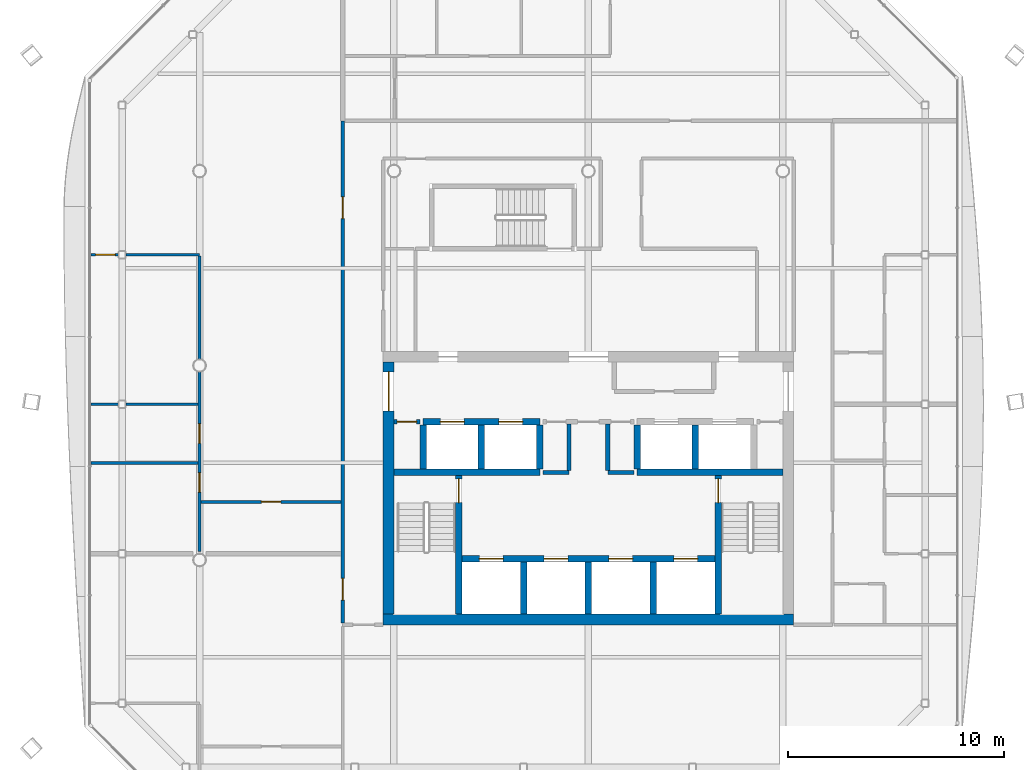
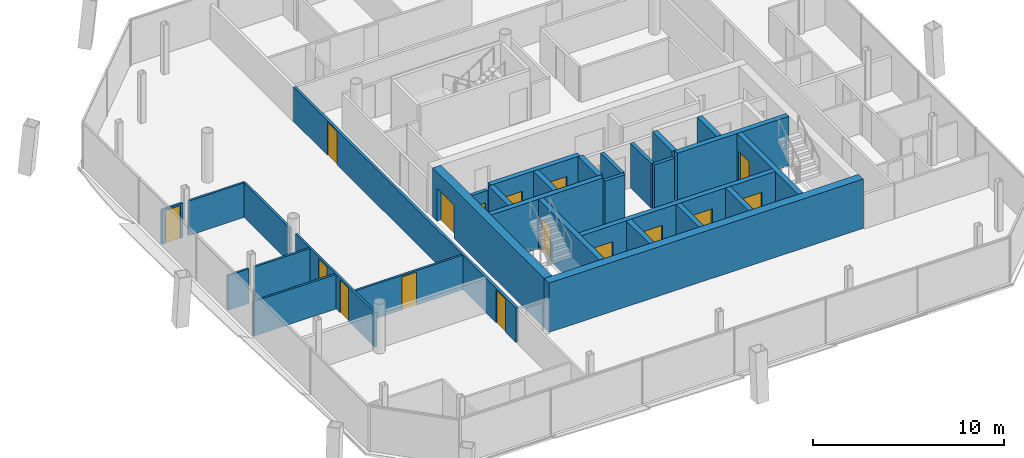
# One storey, part 14 of 20: 30 walls, 16 doors, 16 openings.
"""IFC4 building model written with IfcOpenShell, lengths in metres."""

from ifc_helpers import new_model, si_unit, direction, frame, frame_2d, origin, place, context, subcontext, project, spatial, rectangle, extrude, material, layer, layer_set, type_object, element, fill, save


model = new_model("IFC4")

# Units and contexts
model_context = context("Model", 3, precision=1e-05, world=origin(), true_north=direction((0.0, 1.0)))
body_context = subcontext(model_context, "Body", "Model", "MODEL_VIEW")
ifc_project = project(units=[si_unit("LENGTHUNIT", "METRE"), si_unit("AREAUNIT", "SQUARE_METRE"), si_unit("VOLUMEUNIT", "CUBIC_METRE"), si_unit("PLANEANGLEUNIT", "RADIAN"), si_unit("MASSUNIT", "GRAM", prefix="KILO")], contexts=[model_context])

# Site, building, storey
site_placement = place(None, origin())
site = spatial("IfcSite", under=ifc_project, at=site_placement, CompositionType="ELEMENT")
building_placement = place(site_placement, origin())
building = spatial("IfcBuilding", under=site, at=building_placement, Name="Tskaro Facet Tower", CompositionType="ELEMENT")
storey_placement = place(building_placement, frame((0.0, 0.0, 197.39990234375)))
storey = spatial("IfcBuildingStorey", under=building, at=storey_placement, Name="L50", CompositionType="ELEMENT", Elevation=197.39990234375)

# Wall, openings, doors
ifc_material_1 = material(Name="Concrete C60/75", Category="concrete")
ifc_layer_1 = layer(ifc_material_1, 0.300048828125, Name="Concrete C60/75")
ifc_layer_set_1 = layer_set([ifc_layer_1], Name="Concrete C60/75")
wall_type_1 = type_object("IfcWallType", Name="CORE-SHAFT", PredefinedType="SHEAR", material=ifc_layer_set_1)
wall_1_placement = place(storey_placement, frame((-5.85009765625, -8.949951171875, 0.0), z_axis=(0.0, 0.0, 1.0), x_axis=(1.0, 0.0, 0.0)))
wall_1 = element("IfcWall", 1, at=wall_1_placement, inside=storey, type_object=wall_type_1, Name="Shaft wall W008", PredefinedType="SHEAR", context=body_context, shape_type="SweptSolid", body=[
    extrude(rectangle(XDim=11.7001953125, YDim=0.300048828125, at=frame_2d((5.85009765625, 0.0))), origin(), (0.0, 0.0, 1.0), 3.150146484375),
])
opening_1_placement = place(wall_1_placement, frame((0.800048828125, 0.0, 0.0)))
opening_1 = element("IfcOpeningElement", 2, at=opening_1_placement, cuts=wall_1, Name="Opening LD-FF1", PredefinedType="OPENING", context=body_context, shape_type="SweptSolid", body=[
    extrude(rectangle(XDim=1.10009765625, YDim=2.10009765625, at=frame_2d((0.550048828125, 1.050048828125))), frame((0.0, 0.159912109375, 0.0), z_axis=(0.0, -1.0, 0.0), x_axis=(1.0, 0.0, 0.0)), (0.0, 0.0, 1.0), 0.320068359375),
])
opening_2_placement = place(wall_1_placement, frame((3.800048828125, 0.0, 0.0)))
opening_2 = element("IfcOpeningElement", 3, at=opening_2_placement, cuts=wall_1, Name="Opening LD-FF2", PredefinedType="OPENING", context=body_context, shape_type="SweptSolid", body=[
    extrude(rectangle(XDim=1.10009765625, YDim=2.10009765625, at=frame_2d((0.550048828125, 1.050048828125))), frame((0.0, 0.159912109375, 0.0), z_axis=(0.0, -1.0, 0.0), x_axis=(1.0, 0.0, 0.0)), (0.0, 0.0, 1.0), 0.320068359375),
])
opening_3_placement = place(wall_1_placement, frame((6.800048828125, 0.0, 0.0)))
opening_3 = element("IfcOpeningElement", 4, at=opening_3_placement, cuts=wall_1, Name="Opening LD-SV1", PredefinedType="OPENING", context=body_context, shape_type="SweptSolid", body=[
    extrude(rectangle(XDim=1.10009765625, YDim=2.10009765625, at=frame_2d((0.550048828125, 1.050048828125))), frame((0.0, 0.159912109375, 0.0), z_axis=(0.0, -1.0, 0.0), x_axis=(1.0, 0.0, 0.0)), (0.0, 0.0, 1.0), 0.320068359375),
])
opening_4_placement = place(wall_1_placement, frame((9.800048828125, 0.0, 0.0)))
opening_4 = element("IfcOpeningElement", 5, at=opening_4_placement, cuts=wall_1, Name="Opening LD-SV2", PredefinedType="OPENING", context=body_context, shape_type="SweptSolid", body=[
    extrude(rectangle(XDim=1.10009765625, YDim=2.10009765625, at=frame_2d((0.550048828125, 1.050048828125))), frame((0.0, 0.159912109375, 0.0), z_axis=(0.0, -1.0, 0.0), x_axis=(1.0, 0.0, 0.0)), (0.0, 0.0, 1.0), 0.320068359375),
])
ifc_material_2 = material(Name="Stainless steel", Category="steel")
door_type_1 = type_object("IfcDoorType", Name="D-LANDING", OperationType="NOTDEFINED", PredefinedType="DOOR", material=ifc_material_2)
door_1_placement = place(opening_1_placement, origin())
door_1 = element("IfcDoor", 6, at=door_1_placement, inside=storey, type_object=door_type_1, Name="Landing door FF1", OperationType="DOUBLE_DOOR_SLIDING", OverallHeight=2.10009765625, OverallWidth=1.10009765625, PredefinedType="DOOR", context=body_context, shape_type="SweptSolid", body=[
    extrude(rectangle(XDim=1.10009765625, YDim=2.10009765625, at=frame_2d((0.550048828125, 1.050048828125))), frame((0.0, 0.02490234375, 0.0), z_axis=(0.0, -1.0, 0.0), x_axis=(1.0, 0.0, 0.0)), (0.0, 0.0, 1.0), 0.050048828125),
])
fill(opening_1, door_1)
door_2_placement = place(opening_2_placement, origin())
door_2 = element("IfcDoor", 7, at=door_2_placement, inside=storey, type_object=door_type_1, Name="Landing door FF2", OperationType="DOUBLE_DOOR_SLIDING", OverallHeight=2.10009765625, OverallWidth=1.10009765625, PredefinedType="DOOR", context=body_context, shape_type="SweptSolid", body=[
    extrude(rectangle(XDim=1.10009765625, YDim=2.10009765625, at=frame_2d((0.550048828125, 1.050048828125))), frame((0.0, 0.02490234375, 0.0), z_axis=(0.0, -1.0, 0.0), x_axis=(1.0, 0.0, 0.0)), (0.0, 0.0, 1.0), 0.050048828125),
])
fill(opening_2, door_2)
door_3_placement = place(opening_3_placement, origin())
door_3 = element("IfcDoor", 8, at=door_3_placement, inside=storey, type_object=door_type_1, Name="Landing door SV1", OperationType="DOUBLE_DOOR_SLIDING", OverallHeight=2.10009765625, OverallWidth=1.10009765625, PredefinedType="DOOR", context=body_context, shape_type="SweptSolid", body=[
    extrude(rectangle(XDim=1.10009765625, YDim=2.10009765625, at=frame_2d((0.550048828125, 1.050048828125))), frame((0.0, 0.02490234375, 0.0), z_axis=(0.0, -1.0, 0.0), x_axis=(1.0, 0.0, 0.0)), (0.0, 0.0, 1.0), 0.050048828125),
])
fill(opening_3, door_3)
door_4_placement = place(opening_4_placement, origin())
door_4 = element("IfcDoor", 9, at=door_4_placement, inside=storey, type_object=door_type_1, Name="Landing door SV2", OperationType="DOUBLE_DOOR_SLIDING", OverallHeight=2.10009765625, OverallWidth=1.10009765625, PredefinedType="DOOR", context=body_context, shape_type="SweptSolid", body=[
    extrude(rectangle(XDim=1.10009765625, YDim=2.10009765625, at=frame_2d((0.550048828125, 1.050048828125))), frame((0.0, 0.02490234375, 0.0), z_axis=(0.0, -1.0, 0.0), x_axis=(1.0, 0.0, 0.0)), (0.0, 0.0, 1.0), 0.050048828125),
])
fill(opening_4, door_4)

# Walls
for number, where, z_axis, x_axis, name in (
    (10, (-9.0, -4.949951171875, 0.0), (0.0, 0.0, 1.0), (1.0, 0.0, 0.0), "Shaft wall W016"),
    (11, (2.25, -4.949951171875, 0.0), (0.0, 0.0, 1.0), (1.0, 0.0, 0.0), "Shaft wall W019"),
):
    element("IfcWall", number, at=place(storey_placement, frame(where, z_axis=z_axis, x_axis=x_axis)), inside=storey, type_object=wall_type_1, Name=name, PredefinedType="SHEAR", context=body_context, shape_type="SweptSolid", body=[
        extrude(rectangle(XDim=6.75, YDim=0.300048828125, at=frame_2d((3.375, 0.0))), origin(), (0.0, 0.0, 1.0), 3.150146484375),
    ])

# Wall, openings, doors
wall_2_placement = place(storey_placement, frame((-7.64990234375, -2.60009765625, 0.0), z_axis=(0.0, 0.0, 1.0), x_axis=(1.0, 0.0, 0.0)))
wall_2 = element("IfcWall", 12, at=wall_2_placement, inside=storey, type_object=wall_type_1, Name="Shaft wall W023", PredefinedType="SHEAR", context=body_context, shape_type="SweptSolid", body=[
    extrude(rectangle(XDim=5.39990234375, YDim=0.300048828125, at=frame_2d((2.699951171875, 0.0))), origin(), (0.0, 0.0, 1.0), 3.150146484375),
])
opening_5_placement = place(wall_2_placement, frame((0.800048828125, 0.0, 0.0)))
opening_5 = element("IfcOpeningElement", 13, at=opening_5_placement, cuts=wall_2, Name="Opening LD-HB1", PredefinedType="OPENING", context=body_context, shape_type="SweptSolid", body=[
    extrude(rectangle(XDim=1.10009765625, YDim=2.10009765625, at=frame_2d((0.550048828125, 1.050048828125))), frame((0.0, 0.159912109375, 0.0), z_axis=(0.0, -1.0, 0.0), x_axis=(1.0, 0.0, 0.0)), (0.0, 0.0, 1.0), 0.320068359375),
])
opening_6_placement = place(wall_2_placement, frame((3.5, 0.0, 0.0)))
opening_6 = element("IfcOpeningElement", 14, at=opening_6_placement, cuts=wall_2, Name="Opening LD-HB2", PredefinedType="OPENING", context=body_context, shape_type="SweptSolid", body=[
    extrude(rectangle(XDim=1.10009765625, YDim=2.10009765625, at=frame_2d((0.550048828125, 1.050048828125))), frame((0.0, 0.159912109375, 0.0), z_axis=(0.0, -1.0, 0.0), x_axis=(1.0, 0.0, 0.0)), (0.0, 0.0, 1.0), 0.320068359375),
])
door_5_placement = place(opening_5_placement, origin())
door_5 = element("IfcDoor", 15, at=door_5_placement, inside=storey, type_object=door_type_1, Name="Landing door HB1", OperationType="DOUBLE_DOOR_SLIDING", OverallHeight=2.10009765625, OverallWidth=1.10009765625, PredefinedType="DOOR", context=body_context, shape_type="SweptSolid", body=[
    extrude(rectangle(XDim=1.10009765625, YDim=2.10009765625, at=frame_2d((0.550048828125, 1.050048828125))), frame((0.0, 0.02490234375, 0.0), z_axis=(0.0, -1.0, 0.0), x_axis=(1.0, 0.0, 0.0)), (0.0, 0.0, 1.0), 0.050048828125),
])
fill(opening_5, door_5)
door_6_placement = place(opening_6_placement, origin())
door_6 = element("IfcDoor", 16, at=door_6_placement, inside=storey, type_object=door_type_1, Name="Landing door HB2", OperationType="DOUBLE_DOOR_SLIDING", OverallHeight=2.10009765625, OverallWidth=1.10009765625, PredefinedType="DOOR", context=body_context, shape_type="SweptSolid", body=[
    extrude(rectangle(XDim=1.10009765625, YDim=2.10009765625, at=frame_2d((0.550048828125, 1.050048828125))), frame((0.0, 0.02490234375, 0.0), z_axis=(0.0, -1.0, 0.0), x_axis=(1.0, 0.0, 0.0)), (0.0, 0.0, 1.0), 0.050048828125),
])
fill(opening_6, door_6)

# Wall
wall_3_placement = place(storey_placement, frame((-7.64990234375, -4.800048828125, 0.0), z_axis=(0.0, 0.0, 1.0), x_axis=(0.0, 1.0, 0.0)))
element("IfcWall", 17, at=wall_3_placement, inside=storey, type_object=wall_type_1, Name="Shaft wall W057", PredefinedType="SHEAR", context=body_context, shape_type="SweptSolid", body=[
    extrude(rectangle(XDim=2.050048828125, YDim=0.300048828125, at=frame_2d((1.02490234375, 0.0))), origin(), (0.0, 0.0, 1.0), 3.150146484375),
])

# Wall, opening, door
wall_4_placement = place(storey_placement, frame((-6.0, -11.5, 0.0), z_axis=(0.0, 0.0, 1.0), x_axis=(0.0, 1.0, 0.0)))
wall_4 = element("IfcWall", 18, at=wall_4_placement, inside=storey, type_object=wall_type_1, Name="Shaft wall W061", PredefinedType="SHEAR", context=body_context, shape_type="SweptSolid", body=[
    extrude(rectangle(XDim=6.39990234375, YDim=0.300048828125, at=frame_2d((3.199951171875, 0.0))), origin(), (0.0, 0.0, 1.0), 3.150146484375),
])
opening_7_placement = place(wall_4_placement, frame((5.14990234375, 0.0, 0.0)))
opening_7 = element("IfcOpeningElement", 19, at=opening_7_placement, cuts=wall_4, Name="Opening ST-1-D1", PredefinedType="OPENING", context=body_context, shape_type="SweptSolid", body=[
    extrude(rectangle(XDim=1.10009765625, YDim=2.10009765625, at=frame_2d((0.550048828125, 1.050048828125))), frame((0.0, 0.159912109375, 0.0), z_axis=(0.0, -1.0, 0.0), x_axis=(1.0, 0.0, 0.0)), (0.0, 0.0, 1.0), 0.320068359375),
])
ifc_material_3 = material(Name="Steel", Category="steel")
door_type_2 = type_object("IfcDoorType", Name="D-STAIR", OperationType="NOTDEFINED", PredefinedType="DOOR", material=ifc_material_3)
door_7_placement = place(opening_7_placement, origin())
door_7 = element("IfcDoor", 20, at=door_7_placement, inside=storey, type_object=door_type_2, Name="Stair door 1", OperationType="SINGLE_SWING_LEFT", OverallHeight=2.10009765625, OverallWidth=1.10009765625, PredefinedType="DOOR", context=body_context, shape_type="SweptSolid", body=[
    extrude(rectangle(XDim=1.10009765625, YDim=2.10009765625, at=frame_2d((0.550048828125, 1.050048828125))), frame((0.0, 0.02490234375, 0.0), z_axis=(0.0, -1.0, 0.0), x_axis=(1.0, 0.0, 0.0)), (0.0, 0.0, 1.0), 0.050048828125),
])
fill(opening_7, door_7)

# Walls
wall_5_placement = place(storey_placement, frame((-4.949951171875, -4.800048828125, 0.0), z_axis=(0.0, 0.0, 1.0), x_axis=(0.0, 1.0, 0.0)))
element("IfcWall", 21, at=wall_5_placement, inside=storey, type_object=wall_type_1, Name="Shaft wall W062", PredefinedType="SHEAR", context=body_context, shape_type="SweptSolid", body=[
    extrude(rectangle(XDim=2.050048828125, YDim=0.300048828125, at=frame_2d((1.02490234375, 0.0))), origin(), (0.0, 0.0, 1.0), 3.150146484375),
])
wall_6_placement = place(storey_placement, frame((-3.0, -11.5, 0.0), z_axis=(0.0, 0.0, 1.0), x_axis=(0.0, 1.0, 0.0)))
element("IfcWall", 22, at=wall_6_placement, inside=storey, type_object=wall_type_1, Name="Shaft wall W064", PredefinedType="SHEAR", context=body_context, shape_type="SweptSolid", body=[
    extrude(rectangle(XDim=2.39990234375, YDim=0.300048828125, at=frame_2d((1.199951171875, 0.0))), origin(), (0.0, 0.0, 1.0), 3.150146484375),
])
wall_7_placement = place(storey_placement, frame((-2.25, -4.800048828125, 0.0), z_axis=(0.0, 0.0, 1.0), x_axis=(0.0, 1.0, 0.0)))
element("IfcWall", 23, at=wall_7_placement, inside=storey, type_object=wall_type_1, Name="Shaft wall W065", PredefinedType="SHEAR", context=body_context, shape_type="SweptSolid", body=[
    extrude(rectangle(XDim=2.050048828125, YDim=0.300048828125, at=frame_2d((1.02490234375, 0.0))), origin(), (0.0, 0.0, 1.0), 3.150146484375),
])
wall_8_placement = place(storey_placement, frame((0.0, -11.5, 0.0), z_axis=(0.0, 0.0, 1.0), x_axis=(0.0, 1.0, 0.0)))
element("IfcWall", 24, at=wall_8_placement, inside=storey, type_object=wall_type_1, Name="Shaft wall W068", PredefinedType="SHEAR", context=body_context, shape_type="SweptSolid", body=[
    extrude(rectangle(XDim=2.39990234375, YDim=0.300048828125, at=frame_2d((1.199951171875, 0.0))), origin(), (0.0, 0.0, 1.0), 3.150146484375),
])
wall_9_placement = place(storey_placement, frame((2.25, -4.800048828125, 0.0), z_axis=(0.0, 0.0, 1.0), x_axis=(0.0, 1.0, 0.0)))
element("IfcWall", 25, at=wall_9_placement, inside=storey, type_object=wall_type_1, Name="Shaft wall W074", PredefinedType="SHEAR", context=body_context, shape_type="SweptSolid", body=[
    extrude(rectangle(XDim=2.050048828125, YDim=0.300048828125, at=frame_2d((1.02490234375, 0.0))), origin(), (0.0, 0.0, 1.0), 3.150146484375),
])
wall_10_placement = place(storey_placement, frame((3.0, -11.5, 0.0), z_axis=(0.0, 0.0, 1.0), x_axis=(0.0, 1.0, 0.0)))
element("IfcWall", 26, at=wall_10_placement, inside=storey, type_object=wall_type_1, Name="Shaft wall W076", PredefinedType="SHEAR", context=body_context, shape_type="SweptSolid", body=[
    extrude(rectangle(XDim=2.39990234375, YDim=0.300048828125, at=frame_2d((1.199951171875, 0.0))), origin(), (0.0, 0.0, 1.0), 3.150146484375),
])
wall_11_placement = place(storey_placement, frame((4.949951171875, -4.800048828125, 0.0), z_axis=(0.0, 0.0, 1.0), x_axis=(0.0, 1.0, 0.0)))
element("IfcWall", 27, at=wall_11_placement, inside=storey, type_object=wall_type_1, Name="Shaft wall W077", PredefinedType="SHEAR", context=body_context, shape_type="SweptSolid", body=[
    extrude(rectangle(XDim=2.050048828125, YDim=0.300048828125, at=frame_2d((1.02490234375, 0.0))), origin(), (0.0, 0.0, 1.0), 3.150146484375),
])

# Wall, opening, door
wall_12_placement = place(storey_placement, frame((6.0, -5.10009765625, 0.0), z_axis=(0.0, 0.0, 1.0), x_axis=(0.0, -1.0, 0.0)))
wall_12 = element("IfcWall", 28, at=wall_12_placement, inside=storey, type_object=wall_type_1, Name="Shaft wall W079", PredefinedType="SHEAR", context=body_context, shape_type="SweptSolid", body=[
    extrude(rectangle(XDim=6.39990234375, YDim=0.300048828125, at=frame_2d((3.199951171875, 0.0))), origin(), (0.0, 0.0, 1.0), 3.150146484375),
])
opening_8_placement = place(wall_12_placement, frame((0.14990234375, 0.0, 0.0)))
opening_8 = element("IfcOpeningElement", 29, at=opening_8_placement, cuts=wall_12, Name="Opening ST-2-D1", PredefinedType="OPENING", context=body_context, shape_type="SweptSolid", body=[
    extrude(rectangle(XDim=1.10009765625, YDim=2.10009765625, at=frame_2d((0.550048828125, 1.050048828125))), frame((0.0, 0.159912109375, 0.0), z_axis=(0.0, -1.0, 0.0), x_axis=(1.0, 0.0, 0.0)), (0.0, 0.0, 1.0), 0.320068359375),
])
door_8_placement = place(opening_8_placement, origin())
door_8 = element("IfcDoor", 30, at=door_8_placement, inside=storey, type_object=door_type_2, Name="Stair door 2", OperationType="SINGLE_SWING_RIGHT", OverallHeight=2.10009765625, OverallWidth=1.10009765625, PredefinedType="DOOR", context=body_context, shape_type="SweptSolid", body=[
    extrude(rectangle(XDim=1.10009765625, YDim=2.10009765625, at=frame_2d((0.550048828125, 1.050048828125))), frame((0.0, 0.02490234375, 0.0), z_axis=(0.0, -1.0, 0.0), x_axis=(1.0, 0.0, 0.0)), (0.0, 0.0, 1.0), 0.050048828125),
])
fill(opening_8, door_8)

# Walls
ifc_material_4 = material(Name="Concrete C20/25", Category="concrete")
ifc_layer_2 = layer(ifc_material_4, 0.199951171875, Name="Concrete C20/25")
ifc_layer_set_2 = layer_set([ifc_layer_2], Name="Concrete C20/25")
wall_type_2 = type_object("IfcWallType", Name="CORE-WALL", PredefinedType="SOLIDWALL", material=ifc_layer_set_2)
for number, where, z_axis, x_axis, name in (
    (31, (-2.10009765625, -4.949951171875, 0.0), (0.0, 0.0, 1.0), (1.0, 0.0, 0.0), "Core room wall W017"),
    (32, (0.89990234375, -4.949951171875, 0.0), (0.0, 0.0, 1.0), (1.0, 0.0, 0.0), "Core room wall W018"),
):
    element("IfcWall", number, at=place(storey_placement, frame(where, z_axis=z_axis, x_axis=x_axis)), inside=storey, type_object=wall_type_2, Name=name, PredefinedType="SOLIDWALL", context=body_context, shape_type="SweptSolid", body=[
        extrude(rectangle(XDim=1.2001953125, YDim=0.199951171875, at=frame_2d((0.60009765625, 0.0))), origin(), (0.0, 0.0, 1.0), 2.85009765625),
    ])

# Wall, opening, door
wall_13_placement = place(storey_placement, frame((-7.800048828125, -2.60009765625, 0.0), z_axis=(0.0, 0.0, 1.0), x_axis=(-1.0, 0.0, 0.0)))
wall_13 = element("IfcWall", 33, at=wall_13_placement, inside=storey, type_object=wall_type_2, Name="Core room wall W022", PredefinedType="SOLIDWALL", context=body_context, shape_type="SweptSolid", body=[
    extrude(rectangle(XDim=1.199951171875, YDim=0.199951171875, at=frame_2d((0.60009765625, 0.0))), origin(), (0.0, 0.0, 1.0), 2.85009765625),
])
opening_9_placement = place(wall_13_placement, frame((0.14990234375, 0.0, 0.0)))
opening_9 = element("IfcOpeningElement", 34, at=opening_9_placement, cuts=wall_13, Name="Opening T14-D13", PredefinedType="OPENING", context=body_context, shape_type="SweptSolid", body=[
    extrude(rectangle(XDim=0.89990234375, YDim=2.10009765625, at=frame_2d((0.449951171875, 1.050048828125))), frame((0.0, 0.10986328125, 0.0), z_axis=(0.0, -1.0, 0.0), x_axis=(1.0, 0.0, 0.0)), (0.0, 0.0, 1.0), 0.219970703125),
])
ifc_material_5 = material(Name="Timber", Category="wood")
door_type_3 = type_object("IfcDoorType", Name="D-ROOM", OperationType="NOTDEFINED", PredefinedType="DOOR", material=ifc_material_5)
door_9_placement = place(opening_9_placement, origin())
door_9 = element("IfcDoor", 35, at=door_9_placement, inside=storey, type_object=door_type_3, Name="Door T14-D13", OperationType="SINGLE_SWING_RIGHT", OverallHeight=2.10009765625, OverallWidth=0.89990234375, PredefinedType="DOOR", context=body_context, shape_type="SweptSolid", body=[
    extrude(rectangle(XDim=0.89990234375, YDim=2.10009765625, at=frame_2d((0.449951171875, 1.050048828125))), frame((0.0, 0.02490234375, 0.0), z_axis=(0.0, -1.0, 0.0), x_axis=(1.0, 0.0, 0.0)), (0.0, 0.0, 1.0), 0.050048828125),
])
fill(opening_9, door_9)

# Walls
for number, where, z_axis, x_axis, name in (
    (36, (-0.89990234375, -4.85009765625, 0.0), (0.0, 0.0, 1.0), (0.0, 1.0, 0.0), "Core room wall W066"),
    (37, (0.89990234375, -4.85009765625, 0.0), (0.0, 0.0, 1.0), (0.0, 1.0, 0.0), "Core room wall W070"),
):
    element("IfcWall", number, at=place(storey_placement, frame(where, z_axis=z_axis, x_axis=x_axis)), inside=storey, type_object=wall_type_2, Name=name, PredefinedType="SOLIDWALL", context=body_context, shape_type="SweptSolid", body=[
        extrude(rectangle(XDim=2.150146484375, YDim=0.199951171875, at=frame_2d((1.0751953125, 0.0))), origin(), (0.0, 0.0, 1.0), 2.85009765625),
    ])
ifc_material_6 = material(Name="Concrete C40/50", Category="concrete")
ifc_layer_3 = layer(ifc_material_6, 0.5, Name="Concrete C40/50")
ifc_layer_set_3 = layer_set([ifc_layer_3], Name="Concrete C40/50")
wall_type_3 = type_object("IfcWallType", Name="Core wall 500", PredefinedType="SHEAR", material=ifc_layer_set_3)
wall_14_placement = place(storey_placement, frame((-9.5, -11.75, 0.0), z_axis=(0.0, 0.0, 1.0), x_axis=(1.0, 0.0, 0.0)))
element("IfcWall", 38, at=wall_14_placement, inside=storey, type_object=wall_type_3, Name="Core wall CW-Z3S", PredefinedType="SHEAR", context=body_context, shape_type="SweptSolid", body=[
    extrude(rectangle(XDim=19.0, YDim=0.5, at=frame_2d((9.5, 0.0))), origin(), (0.0, 0.0, 1.0), 3.150146484375),
])

# Wall, opening, door
wall_15_placement = place(storey_placement, frame((-9.25, -11.5, 0.0), z_axis=(0.0, 0.0, 1.0), x_axis=(0.0, 1.0, 0.0)))
wall_15 = element("IfcWall", 39, at=wall_15_placement, inside=storey, type_object=wall_type_3, Name="Core wall CW-Z3W", PredefinedType="SHEAR", context=body_context, shape_type="SweptSolid", body=[
    extrude(rectangle(XDim=11.64990234375, YDim=0.5, at=frame_2d((5.824951171875, 0.0))), origin(), (0.0, 0.0, 1.0), 3.150146484375),
])
opening_10_placement = place(wall_15_placement, frame((9.39990234375, 0.0, 0.0)))
opening_10 = element("IfcOpeningElement", 40, at=opening_10_placement, cuts=wall_15, Name="Opening T14-D17", PredefinedType="OPENING", context=body_context, shape_type="SweptSolid", body=[
    extrude(rectangle(XDim=1.800048828125, YDim=2.10009765625, at=frame_2d((0.89990234375, 1.050048828125))), frame((0.0, 0.260009765625, 0.0), z_axis=(0.0, -1.0, 0.0), x_axis=(1.0, 0.0, 0.0)), (0.0, 0.0, 1.0), 0.52001953125),
])
door_type_4 = type_object("IfcDoorType", Name="D-CORE-PAIR", OperationType="NOTDEFINED", PredefinedType="DOOR", material=ifc_material_3)
door_10_placement = place(opening_10_placement, origin())
door_10 = element("IfcDoor", 41, at=door_10_placement, inside=storey, type_object=door_type_4, Name="Door T14-D17", OperationType="DOUBLE_DOOR_SINGLE_SWING", OverallHeight=2.10009765625, OverallWidth=1.800048828125, PredefinedType="DOOR", context=body_context, shape_type="SweptSolid", body=[
    extrude(rectangle(XDim=1.800048828125, YDim=2.10009765625, at=frame_2d((0.89990234375, 1.050048828125))), frame((0.0, 0.02490234375, 0.0), z_axis=(0.0, -1.0, 0.0), x_axis=(1.0, 0.0, 0.0)), (0.0, 0.0, 1.0), 0.050048828125),
])
fill(opening_10, door_10)

ifc_material_7 = material(Name="Gypsum board on steel studs", Category="steel")
ifc_layer_4 = layer(ifc_material_7, 0.125, Name="Gypsum board on steel studs")
ifc_layer_set_4 = layer_set([ifc_layer_4], Name="Gypsum board on steel studs")
wall_type_4 = type_object("IfcWallType", Name="PART", PredefinedType="PARTITIONING", material=ifc_layer_set_4)
wall_16_placement = place(storey_placement, frame((-11.449951171875, -6.31494140625, 0.0), z_axis=(0.0, 0.0, 1.0), x_axis=(-1.0, 0.0, 0.0)))
wall_16 = element("IfcWall", 42, at=wall_16_placement, inside=storey, type_object=wall_type_4, Name="Partition W014", PredefinedType="PARTITIONING", context=body_context, shape_type="SweptSolid", body=[
    extrude(rectangle(XDim=6.487548828125, YDim=0.125, at=frame_2d((3.24365234375, 0.0))), origin(), (0.0, 0.0, 1.0), 2.210205078125),
])
opening_11_placement = place(wall_16_placement, frame((2.78759765625, 0.0, 0.0)))
opening_11 = element("IfcOpeningElement", 43, at=opening_11_placement, cuts=wall_16, Name="Opening T14-D08", PredefinedType="OPENING", context=body_context, shape_type="SweptSolid", body=[
    extrude(rectangle(XDim=0.89990234375, YDim=2.10009765625, at=frame_2d((0.449951171875, 1.050048828125))), frame((0.0, 0.072509765625, 0.0), z_axis=(0.0, -1.0, 0.0), x_axis=(1.0, 0.0, 0.0)), (0.0, 0.0, 1.0), 0.14501953125),
])
door_11_placement = place(opening_11_placement, origin())
door_11 = element("IfcDoor", 44, at=door_11_placement, inside=storey, type_object=door_type_3, Name="Door T14-D08", OperationType="SINGLE_SWING_RIGHT", OverallHeight=2.10009765625, OverallWidth=0.89990234375, PredefinedType="DOOR", context=body_context, shape_type="SweptSolid", body=[
    extrude(rectangle(XDim=0.89990234375, YDim=2.10009765625, at=frame_2d((0.449951171875, 1.050048828125))), frame((0.0, 0.02490234375, 0.0), z_axis=(0.0, -1.0, 0.0), x_axis=(1.0, 0.0, 0.0)), (0.0, 0.0, 1.0), 0.050048828125),
])
fill(opening_11, door_11)

# Walls
wall_17_placement = place(storey_placement, frame((-23.030029296875, -4.514892578125, 0.0), z_axis=(0.0, 0.0, 1.0), x_axis=(1.0, 0.0, 0.0)))
element("IfcWall", 45, at=wall_17_placement, inside=storey, type_object=wall_type_4, Name="Partition W020", PredefinedType="PARTITIONING", context=body_context, shape_type="SweptSolid", body=[
    extrude(rectangle(XDim=4.967529296875, YDim=0.125, at=frame_2d((2.48388671875, 0.0))), origin(), (0.0, 0.0, 1.0), 2.210205078125),
])
wall_18_placement = place(storey_placement, frame((-23.030029296875, -1.794921875, 0.0), z_axis=(0.0, 0.0, 1.0), x_axis=(1.0, 0.0, 0.0)))
element("IfcWall", 46, at=wall_18_placement, inside=storey, type_object=wall_type_4, Name="Partition W027", PredefinedType="PARTITIONING", context=body_context, shape_type="SweptSolid", body=[
    extrude(rectangle(XDim=1.27197265625, YDim=0.125, at=frame_2d((0.635986328125, 0.0))), origin(), (0.0, 0.0, 1.0), 2.210205078125),
])
wall_19_placement = place(storey_placement, frame((-21.407958984375, -1.794921875, 0.0), z_axis=(0.0, 0.0, 1.0), x_axis=(1.0, 0.0, 0.0)))
element("IfcWall", 47, at=wall_19_placement, inside=storey, type_object=wall_type_4, Name="Partition W028", PredefinedType="PARTITIONING", context=body_context, shape_type="SweptSolid", body=[
    extrude(rectangle(XDim=3.345458984375, YDim=0.125, at=frame_2d((1.6728515625, 0.0))), origin(), (0.0, 0.0, 1.0), 2.210205078125),
])

# Wall, opening, door
wall_20_placement = place(storey_placement, frame((-21.758056640625, 5.125, 0.0), z_axis=(0.0, 0.0, 1.0), x_axis=(-1.0, 0.0, 0.0)))
wall_20 = element("IfcWall", 48, at=wall_20_placement, inside=storey, type_object=wall_type_4, Name="Partition W033", PredefinedType="PARTITIONING", context=body_context, shape_type="SweptSolid", body=[
    extrude(rectangle(XDim=1.27197265625, YDim=0.125, at=frame_2d((0.635986328125, 0.0))), origin(), (0.0, 0.0, 1.0), 2.210205078125),
])
opening_12_placement = place(wall_20_placement, frame((0.14990234375, 0.0, 0.0)))
opening_12 = element("IfcOpeningElement", 49, at=opening_12_placement, cuts=wall_20, Name="Opening T14-D27", PredefinedType="OPENING", context=body_context, shape_type="SweptSolid", body=[
    extrude(rectangle(XDim=0.89990234375, YDim=2.10009765625, at=frame_2d((0.449951171875, 1.050048828125))), frame((0.0, 0.072509765625, 0.0), z_axis=(0.0, -1.0, 0.0), x_axis=(1.0, 0.0, 0.0)), (0.0, 0.0, 1.0), 0.14501953125),
])
door_12_placement = place(opening_12_placement, origin())
door_12 = element("IfcDoor", 50, at=door_12_placement, inside=storey, type_object=door_type_3, Name="Door T14-D27", OperationType="SINGLE_SWING_RIGHT", OverallHeight=2.10009765625, OverallWidth=0.89990234375, PredefinedType="DOOR", context=body_context, shape_type="SweptSolid", body=[
    extrude(rectangle(XDim=0.89990234375, YDim=2.10009765625, at=frame_2d((0.449951171875, 1.050048828125))), frame((0.0, 0.02490234375, 0.0), z_axis=(0.0, -1.0, 0.0), x_axis=(1.0, 0.0, 0.0)), (0.0, 0.0, 1.0), 0.050048828125),
])
fill(opening_12, door_12)

# Wall
wall_21_placement = place(storey_placement, frame((-21.407958984375, 5.125, 0.0), z_axis=(0.0, 0.0, 1.0), x_axis=(1.0, 0.0, 0.0)))
element("IfcWall", 51, at=wall_21_placement, inside=storey, type_object=wall_type_4, Name="Partition W034", PredefinedType="PARTITIONING", context=body_context, shape_type="SweptSolid", body=[
    extrude(rectangle(XDim=3.407958984375, YDim=0.125, at=frame_2d((1.7041015625, 0.0))), origin(), (0.0, 0.0, 1.0), 2.210205078125),
])

# Wall, openings, doors
wall_22_placement = place(storey_placement, frame((-18.0, -8.614990234375, 0.0), z_axis=(0.0, 0.0, 1.0), x_axis=(0.0, 1.0, 0.0)))
wall_22 = element("IfcWall", 52, at=wall_22_placement, inside=storey, type_object=wall_type_4, Name="Partition W049", PredefinedType="PARTITIONING", context=body_context, shape_type="SweptSolid", body=[
    extrude(rectangle(XDim=8.31005859375, YDim=0.125, at=frame_2d((4.155029296875, 0.0))), origin(), (0.0, 0.0, 1.0), 2.210205078125),
])
opening_13_placement = place(wall_22_placement, frame((2.75, 0.0, 0.0)))
opening_13 = element("IfcOpeningElement", 53, at=opening_13_placement, cuts=wall_22, Name="Opening T14-D09", PredefinedType="OPENING", context=body_context, shape_type="SweptSolid", body=[
    extrude(rectangle(XDim=0.89990234375, YDim=2.10009765625, at=frame_2d((0.449951171875, 1.050048828125))), frame((0.0, 0.072509765625, 0.0), z_axis=(0.0, -1.0, 0.0), x_axis=(1.0, 0.0, 0.0)), (0.0, 0.0, 1.0), 0.14501953125),
])
opening_14_placement = place(wall_22_placement, frame((5.010009765625, 0.0, 0.0)))
opening_14 = element("IfcOpeningElement", 54, at=opening_14_placement, cuts=wall_22, Name="Opening T14-D11", PredefinedType="OPENING", context=body_context, shape_type="SweptSolid", body=[
    extrude(rectangle(XDim=0.89990234375, YDim=2.10009765625, at=frame_2d((0.449951171875, 1.050048828125))), frame((0.0, 0.072509765625, 0.0), z_axis=(0.0, -1.0, 0.0), x_axis=(1.0, 0.0, 0.0)), (0.0, 0.0, 1.0), 0.14501953125),
])
door_13_placement = place(opening_13_placement, origin())
door_13 = element("IfcDoor", 55, at=door_13_placement, inside=storey, type_object=door_type_3, Name="Door T14-D09", OperationType="SINGLE_SWING_LEFT", OverallHeight=2.10009765625, OverallWidth=0.89990234375, PredefinedType="DOOR", context=body_context, shape_type="SweptSolid", body=[
    extrude(rectangle(XDim=0.89990234375, YDim=2.10009765625, at=frame_2d((0.449951171875, 1.050048828125))), frame((0.0, 0.02490234375, 0.0), z_axis=(0.0, -1.0, 0.0), x_axis=(1.0, 0.0, 0.0)), (0.0, 0.0, 1.0), 0.050048828125),
])
fill(opening_13, door_13)
door_14_placement = place(opening_14_placement, origin())
door_14 = element("IfcDoor", 56, at=door_14_placement, inside=storey, type_object=door_type_3, Name="Door T14-D11", OperationType="SINGLE_SWING_LEFT", OverallHeight=2.10009765625, OverallWidth=0.89990234375, PredefinedType="DOOR", context=body_context, shape_type="SweptSolid", body=[
    extrude(rectangle(XDim=0.89990234375, YDim=2.10009765625, at=frame_2d((0.449951171875, 1.050048828125))), frame((0.0, 0.02490234375, 0.0), z_axis=(0.0, -1.0, 0.0), x_axis=(1.0, 0.0, 0.0)), (0.0, 0.0, 1.0), 0.050048828125),
])
fill(opening_14, door_14)

# Wall
wall_23_placement = place(storey_placement, frame((-18.0, 0.304931640625, 0.0), z_axis=(0.0, 0.0, 1.0), x_axis=(0.0, 1.0, 0.0)))
element("IfcWall", 57, at=wall_23_placement, inside=storey, type_object=wall_type_4, Name="Partition W050", PredefinedType="PARTITIONING", context=body_context, shape_type="SweptSolid", body=[
    extrude(rectangle(XDim=4.757568359375, YDim=0.125, at=frame_2d((2.37890625, 0.0))), origin(), (0.0, 0.0, 1.0), 2.210205078125),
])

# Wall, openings, doors
ifc_layer_5 = layer(ifc_material_7, 0.14990234375, Name="Gypsum board on steel studs")
ifc_layer_set_5 = layer_set([ifc_layer_5], Name="Gypsum board on steel studs")
wall_type_5 = type_object("IfcWallType", Name="PART-CORR", PredefinedType="PARTITIONING", material=ifc_layer_set_5)
wall_24_placement = place(storey_placement, frame((-11.375, -11.925048828125, 0.0), z_axis=(0.0, 0.0, 1.0), x_axis=(0.0, 1.0, 0.0)))
wall_24 = element("IfcWall", 58, at=wall_24_placement, inside=storey, type_object=wall_type_5, Name="Corridor wall W052", PredefinedType="PARTITIONING", context=body_context, shape_type="SweptSolid", body=[
    extrude(rectangle(XDim=23.25, YDim=0.14990234375, at=frame_2d((11.625, 0.0))), origin(), (0.0, 0.0, 1.0), 2.210205078125),
])
opening_15_placement = place(wall_24_placement, frame((1.0673828125, 0.0, 0.0)))
opening_15 = element("IfcOpeningElement", 59, at=opening_15_placement, cuts=wall_24, Name="Opening T14-D04", PredefinedType="OPENING", context=body_context, shape_type="SweptSolid", body=[
    extrude(rectangle(XDim=1.0, YDim=2.10009765625, at=frame_2d((0.5, 1.050048828125))), frame((0.0, 0.0849609375, 0.0), z_axis=(0.0, -1.0, 0.0), x_axis=(1.0, 0.0, 0.0)), (0.0, 0.0, 1.0), 0.169921875),
])
opening_16_placement = place(wall_24_placement, frame((18.72509765625, 0.0, 0.0)))
opening_16 = element("IfcOpeningElement", 60, at=opening_16_placement, cuts=wall_24, Name="Opening T14-D28", PredefinedType="OPENING", context=body_context, shape_type="SweptSolid", body=[
    extrude(rectangle(XDim=1.0, YDim=2.10009765625, at=frame_2d((0.5, 1.050048828125))), frame((0.0, 0.0849609375, 0.0), z_axis=(0.0, -1.0, 0.0), x_axis=(1.0, 0.0, 0.0)), (0.0, 0.0, 1.0), 0.169921875),
])
door_type_5 = type_object("IfcDoorType", Name="D-FLAT-ENTRY", OperationType="NOTDEFINED", PredefinedType="DOOR", material=ifc_material_5)
door_15_placement = place(opening_15_placement, origin())
door_15 = element("IfcDoor", 61, at=door_15_placement, inside=storey, type_object=door_type_5, Name="Door T14-D04", OperationType="SINGLE_SWING_LEFT", OverallHeight=2.10009765625, OverallWidth=1.0, PredefinedType="DOOR", context=body_context, shape_type="SweptSolid", body=[
    extrude(rectangle(XDim=1.0, YDim=2.10009765625, at=frame_2d((0.5, 1.050048828125))), frame((0.0, 0.02490234375, 0.0), z_axis=(0.0, -1.0, 0.0), x_axis=(1.0, 0.0, 0.0)), (0.0, 0.0, 1.0), 0.050048828125),
])
fill(opening_15, door_15)
door_16_placement = place(opening_16_placement, origin())
door_16 = element("IfcDoor", 62, at=door_16_placement, inside=storey, type_object=door_type_5, Name="Door T14-D28", OperationType="SINGLE_SWING_LEFT", OverallHeight=2.10009765625, OverallWidth=1.0, PredefinedType="DOOR", context=body_context, shape_type="SweptSolid", body=[
    extrude(rectangle(XDim=1.0, YDim=2.10009765625, at=frame_2d((0.5, 1.050048828125))), frame((0.0, 0.02490234375, 0.0), z_axis=(0.0, -1.0, 0.0), x_axis=(1.0, 0.0, 0.0)), (0.0, 0.0, 1.0), 0.050048828125),
])
fill(opening_16, door_16)

save(model, "model.ifc")
